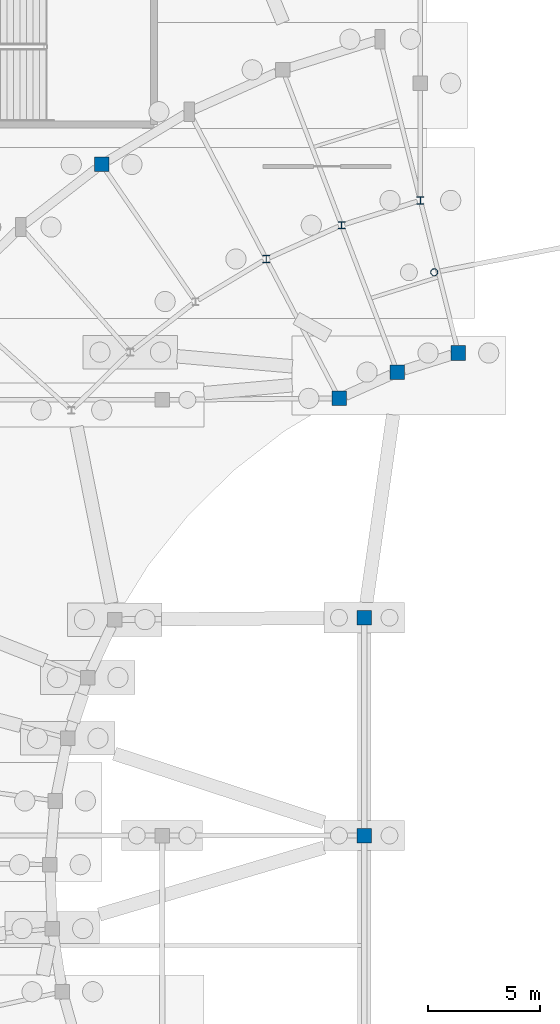
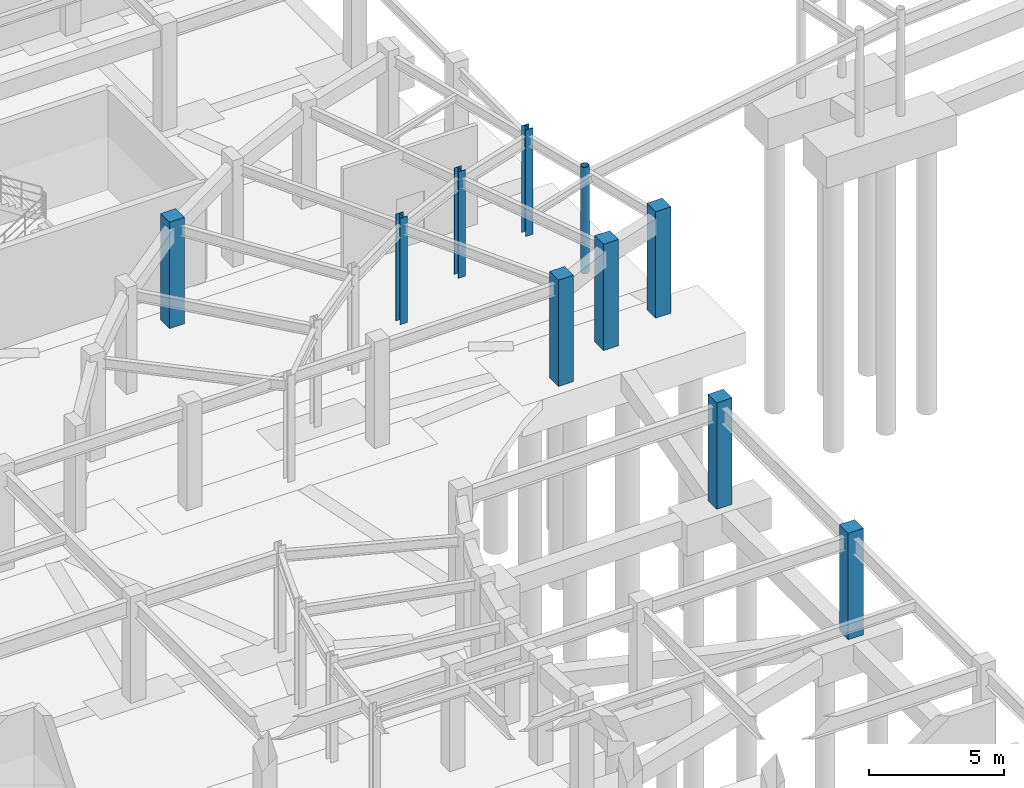
# One storey, part 17 of 68: 10 columns.
"""IFC4 building model written with IfcOpenShell, lengths in metres."""

from ifc_helpers import new_model, si_unit, direction, frame, origin, origin_2d, place, context, subcontext, project, spatial, rectangle, hollow_circle, i_section, extrude, material, material_profile, profile_set, type_object, element, save


model = new_model("IFC4")

# Units and contexts
model_context = context("Model", 3, precision=1e-05, world=origin(), true_north=direction((0.0, 1.0)))
body_context = subcontext(model_context, "Body", "Model", "MODEL_VIEW")
ifc_project = project(units=[si_unit("LENGTHUNIT", "METRE"), si_unit("AREAUNIT", "SQUARE_METRE"), si_unit("VOLUMEUNIT", "CUBIC_METRE"), si_unit("PLANEANGLEUNIT", "RADIAN"), si_unit("MASSUNIT", "GRAM", prefix="KILO")], contexts=[model_context])

# Site, building, storey
site_placement = place(None, origin())
site = spatial("IfcSite", under=ifc_project, at=site_placement, CompositionType="ELEMENT")
building_placement = place(site_placement, origin())
building = spatial("IfcBuilding", under=site, at=building_placement, Name="Cinderbank Siding Concert Hall", CompositionType="ELEMENT")
storey_placement = place(building_placement, frame((0.0, 0.0, -4.800048828125)))
storey = spatial("IfcBuildingStorey", under=building, at=storey_placement, Name="B1", CompositionType="ELEMENT", Elevation=-4.800048828125)

# Columns
ifc_material_1 = material(Name="Structural steel hollow section AS/NZS 1163 Grade C350L0 (350 MPa)", Category="steel")
ifc_material_profile_1 = material_profile(ifc_material_1, hollow_circle(Radius=0.161865234375, WallThickness=0.0126953125, at=origin_2d()), Name="323.9x12.7CHS", Category="LoadBearing")
ifc_profile_set_1 = profile_set([ifc_material_profile_1], Name="Structural steel hollow section AS/NZS 1163 Grade C350L0 (350 MPa)")
column_type_1 = type_object("IfcColumnType", Name="C-CHS323 323.9x12.7CHS", PredefinedType="COLUMN", material=ifc_profile_set_1)
column_1_placement = place(storey_placement, frame((49.114990234375, 94.8798828125, 0.0), z_axis=(0.0, 0.0, 1.0), x_axis=(1.0, 0.0, 0.0)))
element("IfcColumn", 1, at=column_1_placement, inside=storey, type_object=column_type_1, Name="B1 Column COL-BRR-00", PredefinedType="COLUMN", context=body_context, shape_type="SweptSolid", body=[
    extrude(hollow_circle(Radius=0.161865234375, WallThickness=0.0126953125, at=origin_2d()), origin(), (0.0, 0.0, 1.0), 4.800048828125),
])
ifc_material_2 = material(Name="Reinforced concrete AS 3600 N50 (50 MPa)", Category="concrete")
ifc_material_profile_2 = material_profile(ifc_material_2, rectangle(XDim=0.64990234375, YDim=0.64990234375, at=origin_2d()), Name="RC-COL-650x650", Category="LoadBearing")
ifc_profile_set_2 = profile_set([ifc_material_profile_2], Name="Reinforced concrete AS 3600 N50 (50 MPa)")
column_type_2 = type_object("IfcColumnType", Name="C-RC650 RC-COL-650x650", PredefinedType="COLUMN", material=ifc_profile_set_2)
for number, where, z_axis, x_axis, name in (
    (2, (50.194091796875, 91.287109375, 0.0), (0.0, 0.0, 1.0), (1.0, 0.0, 0.0), "B1 Column COL-WIN-01"),
    (3, (47.47705078125, 90.43603515625, 0.0), (0.0, 0.0, 1.0), (1.0, 0.0, 0.0), "B1 Column COL-WIN-02"),
    (4, (44.881103515625, 89.26904296875, 0.0), (0.0, 0.0, 1.0), (1.0, 0.0, 0.0), "B1 Column COL-WIN-03"),
    (5, (34.304931640625, 99.68408203125, 0.0), (0.0, 0.0, 1.0), (1.0, 0.0, 0.0), "B1 Column COL-WOUT-04"),
    (6, (46.0, 69.800048828125, 0.0), (0.0, 0.0, 1.0), (1.0, 0.0, 0.0), "B1 Column COL-WL-6-4"),
    (7, (46.0, 79.5, 0.0), (0.0, 0.0, 1.0), (1.0, 0.0, 0.0), "B1 Column COL-WL-6-5"),
):
    element("IfcColumn", number, at=place(storey_placement, frame(where, z_axis=z_axis, x_axis=x_axis)), inside=storey, type_object=column_type_2, Name=name, PredefinedType="COLUMN", context=body_context, shape_type="SweptSolid", body=[
        extrude(rectangle(XDim=0.64990234375, YDim=0.64990234375, at=origin_2d()), origin(), (0.0, 0.0, 1.0), 4.800048828125),
    ])
ifc_material_3 = material(Name="Structural steel AS/NZS 3679.1 Grade 350 (340 MPa)", Category="steel")
ifc_material_profile_3 = material_profile(ifc_material_3, i_section(OverallWidth=0.306884765625, OverallDepth=0.314697265625, WebThickness=0.011962890625, FlangeThickness=0.018798828125, at=origin_2d()), Name="310UC118", Category="LoadBearing")
ifc_profile_set_3 = profile_set([ifc_material_profile_3], Name="Structural steel AS/NZS 3679.1 Grade 350 (340 MPa)")
column_type_3 = type_object("IfcColumnType", Name="C-UC310 310UC118", PredefinedType="COLUMN", material=ifc_profile_set_3)
column_2_placement = place(storey_placement, frame((44.991943359375, 96.97998046875, 0.0), z_axis=(0.0, 0.0, 1.0), x_axis=(1.0, 0.0, 0.0)))
element("IfcColumn", 8, at=column_2_placement, inside=storey, type_object=column_type_3, Name="B1 Column COL-WMID-02", PredefinedType="COLUMN", context=body_context, shape_type="SweptSolid", body=[
    extrude(i_section(OverallWidth=0.306884765625, OverallDepth=0.314697265625, WebThickness=0.011962890625, FlangeThickness=0.018798828125, at=origin_2d()), origin(), (0.0, 0.0, 1.0), 4.800048828125),
])
ifc_material_profile_4 = material_profile(ifc_material_3, i_section(OverallWidth=0.31103515625, OverallDepth=0.3271484375, WebThickness=0.015625, FlangeThickness=0.02490234375, at=origin_2d()), Name="310UC158", Category="LoadBearing")
ifc_profile_set_4 = profile_set([ifc_material_profile_4], Name="Structural steel AS/NZS 3679.1 Grade 350 (340 MPa)")
column_type_4 = type_object("IfcColumnType", Name="C-UC310H 310UC158", PredefinedType="COLUMN", material=ifc_profile_set_4)
for number, where, z_axis, x_axis, name in (
    (9, (48.5, 98.0791015625, 0.0), (0.0, 0.0, 1.0), (1.0, 0.0, 0.0), "B1 Column COL-WMID-01"),
    (10, (41.637939453125, 95.471923828125, 0.0), (0.0, 0.0, 1.0), (1.0, 0.0, 0.0), "B1 Column COL-WMID-03"),
):
    element("IfcColumn", number, at=place(storey_placement, frame(where, z_axis=z_axis, x_axis=x_axis)), inside=storey, type_object=column_type_4, Name=name, PredefinedType="COLUMN", context=body_context, shape_type="SweptSolid", body=[
        extrude(i_section(OverallWidth=0.31103515625, OverallDepth=0.3271484375, WebThickness=0.015625, FlangeThickness=0.02490234375, at=origin_2d()), origin(), (0.0, 0.0, 1.0), 4.800048828125),
    ])

save(model, "model.ifc")
